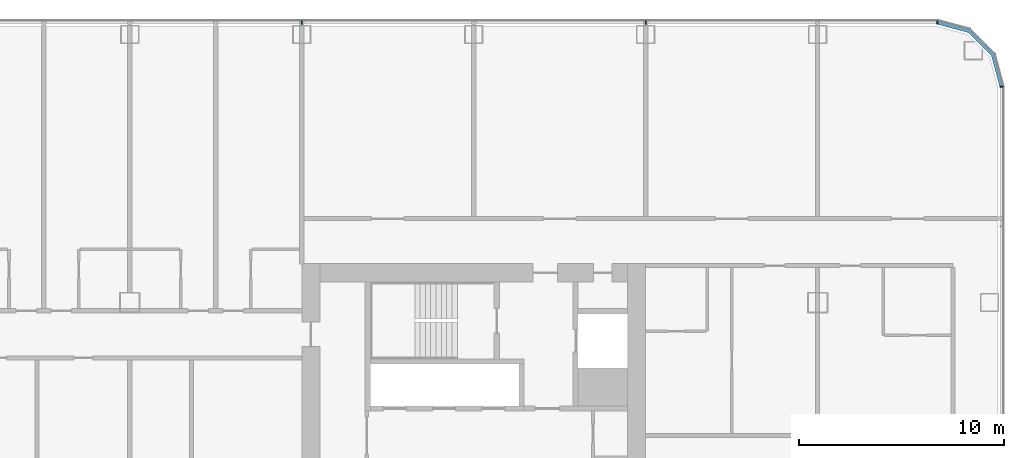
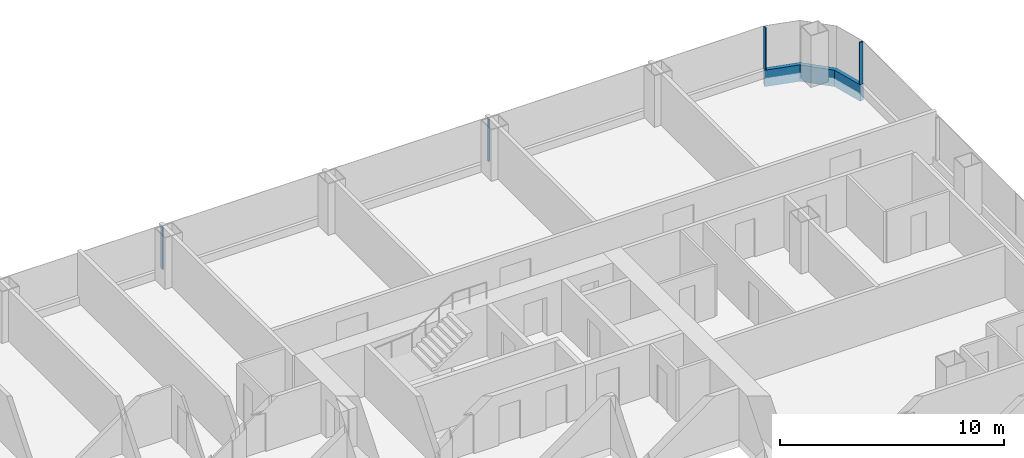
# One storey, part 11 of 29: 5 members, 3 elements without a shape of their own.
"""IFC4 building model written with IfcOpenShell, lengths in metres."""

from ifc_helpers import new_model, si_unit, direction, frame, origin, origin_2d, place, context, subcontext, project, spatial, polyline, rectangle, outline, extrude, material, layer, layer_set, material_profile, profile_set, type_object, element, aggregate, save


model = new_model("IFC4")

# Units and contexts
model_context = context("Model", 3, precision=1e-05, world=origin(), true_north=direction((0.0, 1.0)))
body_context = subcontext(model_context, "Body", "Model", "MODEL_VIEW")
ifc_project = project(units=[si_unit("LENGTHUNIT", "METRE"), si_unit("AREAUNIT", "SQUARE_METRE"), si_unit("VOLUMEUNIT", "CUBIC_METRE"), si_unit("PLANEANGLEUNIT", "RADIAN"), si_unit("MASSUNIT", "GRAM", prefix="KILO")], contexts=[model_context])

# Site, building, storey
site_placement = place(None, origin())
site = spatial("IfcSite", under=ifc_project, at=site_placement, CompositionType="ELEMENT")
building_placement = place(site_placement, origin())
building = spatial("IfcBuilding", under=site, at=building_placement, Name="Hakoniwa Tower and Hamabe Station Hall", CompositionType="ELEMENT")
storey_placement = place(building_placement, frame((0.0, 0.0, 23.0)))
storey = spatial("IfcBuildingStorey", under=building, at=storey_placement, Name="L05", CompositionType="ELEMENT", Elevation=23.0)

# Curtain wall, member
ifc_material_1 = material(Name="Dark low-e laminated glass", Category="glass")
ifc_layer = layer(ifc_material_1, 0.199951171875)
ifc_layer_set = layer_set([ifc_layer], Name="CW-1 UNITISED GUEST")
curtain_wall_type = type_object("IfcCurtainWallType", Name="CW-1 UNITISED GUEST", PredefinedType="NOTDEFINED", material=ifc_layer_set)
curtain_wall_1_placement = place(storey_placement, origin())
curtain_wall_1 = element("IfcCurtainWall", 1, at=curtain_wall_1_placement, inside=storey, type_object=curtain_wall_type, Name="CW-1 curtain wall", PredefinedType="NOTDEFINED")
ifc_material_2 = material(Name="Aluminium 6063-T5 black anodised", Category="aluminium")
ifc_material_profile_1 = material_profile(ifc_material_2, rectangle(XDim=0.199951171875, YDim=0.89990234375, at=origin_2d()), Name="CW SLAB-EDGE BAND 900X200")
ifc_profile_set_1 = profile_set([ifc_material_profile_1], Name="Aluminium 6063-T5 black anodised")
member_type_1 = type_object("IfcMemberType", Name="CW SLAB-EDGE BAND 900X200", PredefinedType="USERDEFINED", material=ifc_profile_set_1)
member_1_placement = place(storey_placement, frame((0.0, 0.0, -0.550048828125)))
member_1 = element("IfcMember", 2, at=member_1_placement, type_object=member_type_1, Name="CW-1 transom", ObjectType="TRANSOM", PredefinedType="USERDEFINED", context=body_context, shape_type="SweptSolid", body=[
    extrude(outline(polyline([(51.10009765625, 17.03955078125), (50.6669921875, 18.6552734375), (49.455322265625, 19.866943359375), (47.839599609375, 20.300048828125), (47.787841796875, 20.10693359375), (49.351806640625, 19.687744140625), (50.48779296875, 18.5517578125), (50.90673828125, 16.98779296875), (51.10009765625, 17.03955078125)])), origin(), (0.0, 0.0, 1.0), 0.900146484375),
])
aggregate(curtain_wall_1, [member_1])

curtain_wall_2_placement = place(storey_placement, origin())
curtain_wall_2 = element("IfcCurtainWall", 3, at=curtain_wall_2_placement, inside=storey, type_object=curtain_wall_type, Name="CW-1 curtain wall", PredefinedType="NOTDEFINED")
ifc_material_3 = material(Name="Aluminium 6063-T5 black anodised", Category="aluminium")
ifc_material_profile_2 = material_profile(ifc_material_3, rectangle(XDim=0.06005859375, YDim=0.179931640625, at=origin_2d()), Name="CW-1 MULLION 60X180")
ifc_profile_set_2 = profile_set([ifc_material_profile_2], Name="Aluminium 6063-T5 black anodised")
member_type_2 = type_object("IfcMemberType", Name="CW-1 MULLION 60X180", PredefinedType="MULLION", material=ifc_profile_set_2)
member_2_placement = place(storey_placement, frame((50.98193359375, 17.03955078125, 0.35009765625), z_axis=(0.0, 0.0, 1.0), x_axis=(0.0, 1.0, 0.0)))
member_2 = element("IfcMember", 4, at=member_2_placement, type_object=member_type_2, Name="CW-1 mullion", PredefinedType="MULLION", context=body_context, shape_type="SweptSolid", body=[
    extrude(rectangle(XDim=0.06005859375, YDim=0.179931640625, at=origin_2d()), origin(), (0.0, 0.0, 1.0), 2.2998046875),
])
aggregate(curtain_wall_2, [member_2])

# Curtain wall, members
curtain_wall_3_placement = place(storey_placement, origin())
curtain_wall_3 = element("IfcCurtainWall", 5, at=curtain_wall_3_placement, inside=storey, type_object=curtain_wall_type, Name="CW-1 curtain wall", PredefinedType="NOTDEFINED")
member_3_placement = place(storey_placement, frame((47.839599609375, 20.181884765625, 0.35009765625), z_axis=(0.0, 0.0, 1.0), x_axis=(-1.0, 0.0, 0.0)))
member_3 = element("IfcMember", 6, at=member_3_placement, type_object=member_type_2, Name="CW-1 mullion", PredefinedType="MULLION", context=body_context, shape_type="SweptSolid", body=[
    extrude(rectangle(XDim=0.06005859375, YDim=0.179931640625, at=origin_2d()), origin(), (0.0, 0.0, 1.0), 2.2998046875),
])
member_4_placement = place(storey_placement, frame((33.60009765625, 20.181884765625, 0.35009765625), z_axis=(0.0, 0.0, 1.0), x_axis=(-1.0, 0.0, 0.0)))
member_4 = element("IfcMember", 7, at=member_4_placement, type_object=member_type_2, Name="CW-1 mullion", PredefinedType="MULLION", context=body_context, shape_type="SweptSolid", body=[
    extrude(rectangle(XDim=0.06005859375, YDim=0.179931640625, at=origin_2d()), origin(), (0.0, 0.0, 1.0), 2.2998046875),
])
member_5_placement = place(storey_placement, frame((16.800048828125, 20.181884765625, 0.35009765625), z_axis=(0.0, 0.0, 1.0), x_axis=(-1.0, 0.0, 0.0)))
member_5 = element("IfcMember", 8, at=member_5_placement, type_object=member_type_2, Name="CW-1 mullion", PredefinedType="MULLION", context=body_context, shape_type="SweptSolid", body=[
    extrude(rectangle(XDim=0.06005859375, YDim=0.179931640625, at=origin_2d()), origin(), (0.0, 0.0, 1.0), 2.2998046875),
])
aggregate(curtain_wall_3, [member_3, member_4, member_5])

save(model, "model.ifc")
